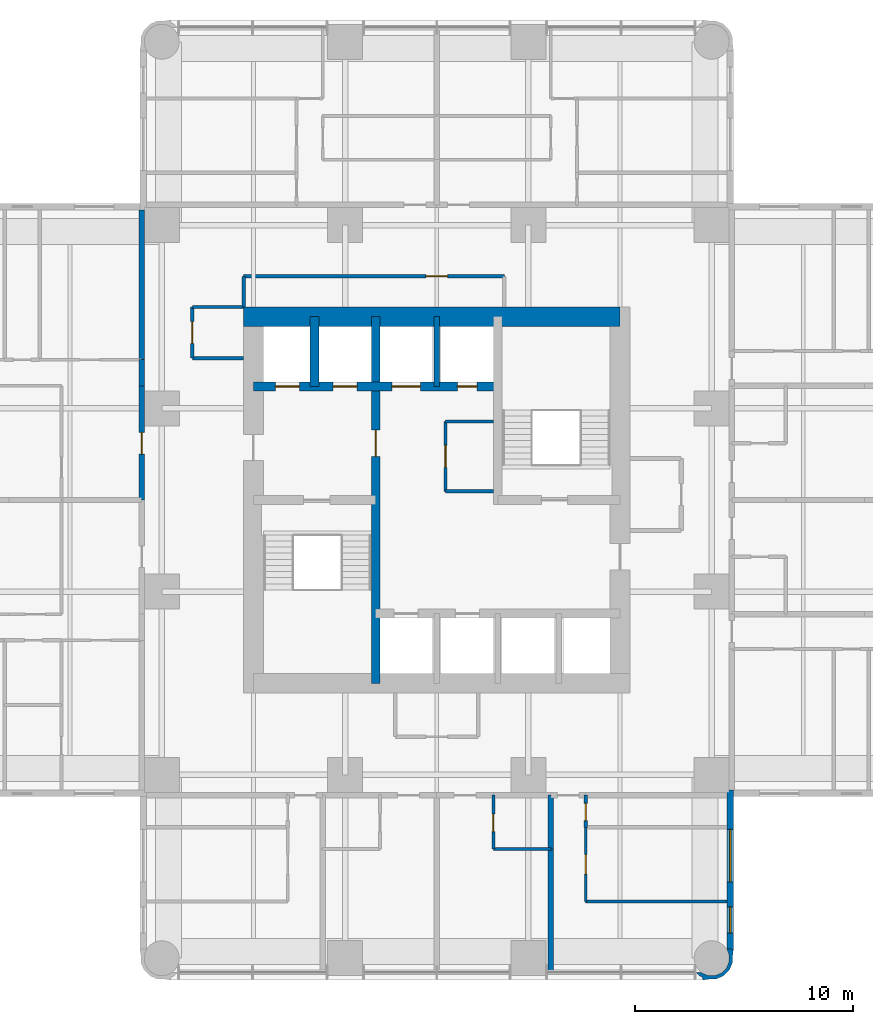
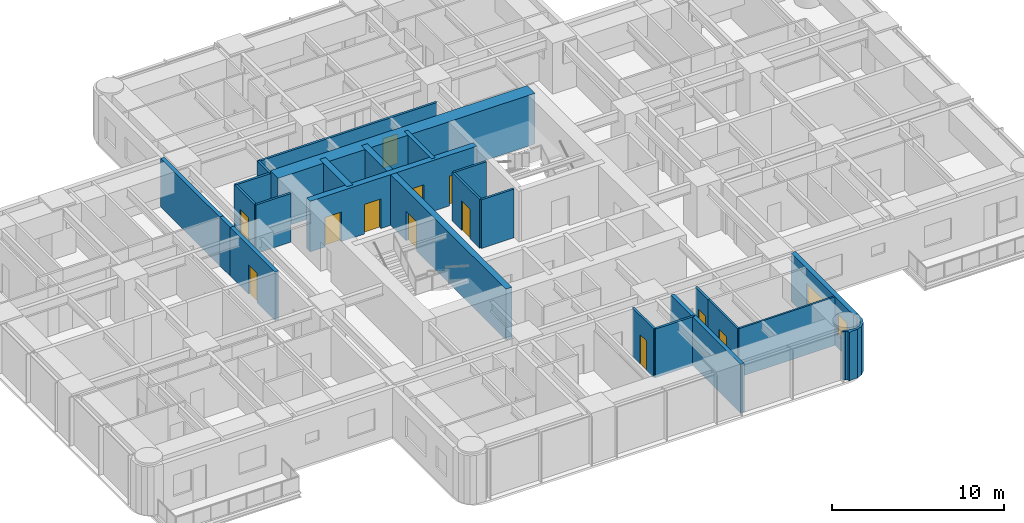
# One storey, part 8 of 14: 25 walls, 12 doors, 2 windows, 14 openings.
"""IFC4 building model written with IfcOpenShell, lengths in metres."""

from ifc_helpers import new_model, si_unit, direction, frame, frame_2d, origin, place, context, subcontext, project, spatial, polyline, rectangle, outline, extrude, material, layer, layer_set, type_object, element, fill, save


model = new_model("IFC4")

# Units and contexts
model_context = context("Model", 3, precision=1e-05, world=origin(), true_north=direction((0.0, 1.0)))
body_context = subcontext(model_context, "Body", "Model", "MODEL_VIEW")
ifc_project = project(units=[si_unit("LENGTHUNIT", "METRE"), si_unit("AREAUNIT", "SQUARE_METRE"), si_unit("VOLUMEUNIT", "CUBIC_METRE"), si_unit("PLANEANGLEUNIT", "RADIAN"), si_unit("MASSUNIT", "GRAM", prefix="KILO")], contexts=[model_context])

# Site, building, storey
site_placement = place(None, origin())
site = spatial("IfcSite", under=ifc_project, at=site_placement, CompositionType="ELEMENT")
building_placement = place(site_placement, origin())
building = spatial("IfcBuilding", under=site, at=building_placement, Name="Torre Alcanfor", CompositionType="ELEMENT")
storey_placement = place(building_placement, frame((0.0, 0.0, 159.300048828125)))
storey = spatial("IfcBuildingStorey", under=building, at=storey_placement, Name="L41", CompositionType="ELEMENT", Elevation=159.300048828125)

# Wall, opening, door
ifc_material_1 = material(Name="Concrete block masonry, hollow blocks NMX-C-404 9 MPa", Category="masonry")
ifc_layer_1 = layer(ifc_material_1, 0.25)
ifc_layer_set_1 = layer_set([ifc_layer_1], Name="Apartment entrance wall 250 EI 60")
wall_type_1 = type_object("IfcWallType", Name="Apartment entrance wall 250 EI 60", PredefinedType="PARTITIONING", material=ifc_layer_set_1)
wall_1_placement = place(storey_placement, frame((15.875, 29.39990234375, 0.0), z_axis=(0.0, 0.0, 1.0), x_axis=(0.0, 1.0, 0.0)))
wall_1 = element("IfcWall", 1, at=wall_1_placement, inside=storey, type_object=wall_type_1, Name="Partition L41-CORR / L41-W2-ZAG", PredefinedType="PARTITIONING", context=body_context, shape_type="SweptSolid", body=[
    extrude(rectangle(XDim=5.22900390625, YDim=0.25, at=frame_2d((2.614501953125, 0.0))), origin(), (0.0, 0.0, 1.0), 3.449951171875),
])
opening_1_placement = place(wall_1_placement, frame((2.10009765625, 0.0, 0.0)))
opening_1 = element("IfcOpeningElement", 2, at=opening_1_placement, cuts=wall_1, Name="Opening D-A1", PredefinedType="OPENING", context=body_context, shape_type="SweptSolid", body=[
    extrude(rectangle(XDim=1.0, YDim=2.10009765625, at=frame_2d((0.5, 1.050048828125))), frame((0.0, 0.135009765625, 0.0), z_axis=(0.0, -1.0, 0.0), x_axis=(1.0, 0.0, 0.0)), (0.0, 0.0, 1.0), 0.27001953125),
])
ifc_material_2 = material(Name="Galvanised steel sheet ASTM A653", Category="steel")
door_type_1 = type_object("IfcDoorType", Name="Apartment entrance door FD60 1000x2100", OperationType="SINGLE_SWING_LEFT", PredefinedType="DOOR", material=ifc_material_2)
door_1_placement = place(opening_1_placement, origin())
door_1 = element("IfcDoor", 3, at=door_1_placement, inside=storey, type_object=door_type_1, Name="Apartment entrance L41-W2", OperationType="SINGLE_SWING_LEFT", OverallHeight=2.10009765625, OverallWidth=1.0, PredefinedType="DOOR", context=body_context, shape_type="SweptSolid", body=[
    extrude(rectangle(XDim=1.0, YDim=2.10009765625, at=frame_2d((0.5, 1.050048828125))), frame((0.0, 0.02490234375, 0.0), z_axis=(0.0, -1.0, 0.0), x_axis=(1.0, 0.0, 0.0)), (0.0, 0.0, 1.0), 0.050048828125),
])
fill(opening_1, door_1)

# Walls
wall_2_placement = place(storey_placement, frame((15.875, 34.62890625, 0.0), z_axis=(0.0, 0.0, 1.0), x_axis=(0.0, 1.0, 0.0)))
element("IfcWall", 4, at=wall_2_placement, inside=storey, type_object=wall_type_1, Name="Partition L41-CORR / L41-W2-HALL", PredefinedType="PARTITIONING", context=body_context, shape_type="SweptSolid", body=[
    extrude(rectangle(XDim=1.2001953125, YDim=0.25, at=frame_2d((0.60009765625, 0.0))), origin(), (0.0, 0.0, 1.0), 3.449951171875),
])
wall_3_placement = place(storey_placement, frame((15.875, 35.8291015625, 0.0), z_axis=(0.0, 0.0, 1.0), x_axis=(0.0, 1.0, 0.0)))
element("IfcWall", 5, at=wall_3_placement, inside=storey, type_object=wall_type_1, Name="Partition L41-CORR / L41-W2-BED3", PredefinedType="PARTITIONING", context=body_context, shape_type="SweptSolid", body=[
    extrude(rectangle(XDim=6.870849609375, YDim=0.25, at=frame_2d((3.435546875, 0.0))), origin(), (0.0, 0.0, 1.0), 3.449951171875),
])

# Wall, opening, door
ifc_material_3 = material(Name="Gypsum board on steel studs", Category="steel")
ifc_layer_2 = layer(ifc_material_3, 0.1201171875)
ifc_layer_set_2 = layer_set([ifc_layer_2], Name="Apartment partition 120")
wall_type_2 = type_object("IfcWallType", Name="Apartment partition 120", PredefinedType="PARTITIONING", material=ifc_layer_set_2)
wall_4_placement = place(storey_placement, frame((36.22900390625, 14.39990234375, 0.0), z_axis=(0.0, 0.0, 1.0), x_axis=(0.0, -1.0, 0.0)))
wall_4 = element("IfcWall", 6, at=wall_4_placement, inside=storey, type_object=wall_type_2, Name="Partition L41-S1B-LIVING / L41-S1B-MASTER", PredefinedType="PARTITIONING", context=body_context, shape_type="SweptSolid", body=[
    extrude(rectangle(XDim=3.39990234375, YDim=0.1201171875, at=frame_2d((1.699951171875, 0.0))), origin(), (0.0, 0.0, 1.0), 3.449951171875),
])
opening_2_placement = place(wall_4_placement, frame((1.25, 0.0, 0.0)))
opening_2 = element("IfcOpeningElement", 7, at=opening_2_placement, cuts=wall_4, Name="Opening D-R1", PredefinedType="OPENING", context=body_context, shape_type="SweptSolid", body=[
    extrude(rectangle(XDim=0.89990234375, YDim=2.10009765625, at=frame_2d((0.449951171875, 1.050048828125))), frame((0.0, 0.070068359375, 0.0), z_axis=(0.0, -1.0, 0.0), x_axis=(1.0, 0.0, 0.0)), (0.0, 0.0, 1.0), 0.14013671875),
])
ifc_material_4 = material(Name="Timber", Category="wood")
door_type_2 = type_object("IfcDoorType", Name="Internal door 900x2100", OperationType="SINGLE_SWING_LEFT", PredefinedType="DOOR", material=ifc_material_4)
door_2_placement = place(opening_2_placement, origin())
door_2 = element("IfcDoor", 8, at=door_2_placement, inside=storey, type_object=door_type_2, Name="Door L41-S1B master", OperationType="SINGLE_SWING_LEFT", OverallHeight=2.10009765625, OverallWidth=0.89990234375, PredefinedType="DOOR", context=body_context, shape_type="SweptSolid", body=[
    extrude(rectangle(XDim=0.89990234375, YDim=2.10009765625, at=frame_2d((0.449951171875, 1.050048828125))), frame((0.0, 0.02490234375, 0.0), z_axis=(0.0, -1.0, 0.0), x_axis=(1.0, 0.0, 0.0)), (0.0, 0.0, 1.0), 0.050048828125),
])
fill(opening_2, door_2)

# Wall
wall_5_placement = place(storey_placement, frame((36.22900390625, 11.0, 0.0), z_axis=(0.0, 0.0, 1.0), x_axis=(1.0, 0.0, 0.0)))
element("IfcWall", 9, at=wall_5_placement, inside=storey, type_object=wall_type_2, Name="Partition L41-S1B-LIVING / L41-S1B-MASTER", PredefinedType="PARTITIONING", context=body_context, shape_type="SweptSolid", body=[
    extrude(rectangle(XDim=6.470947265625, YDim=0.1201171875, at=frame_2d((3.2353515625, 0.0))), origin(), (0.0, 0.0, 1.0), 3.449951171875),
])

# Wall, opening, door
ifc_material_5 = material(Name="Concrete f'c 70 MPa", Category="concrete")
ifc_layer_3 = layer(ifc_material_5, 0.39990234375)
ifc_layer_set_3 = layer_set([ifc_layer_3], Name="Core inner wall 400 f'c70")
wall_type_3 = type_object("IfcWallType", Name="Core inner wall 400 f'c70", PredefinedType="SHEAR", material=ifc_layer_set_3)
wall_6_placement = place(storey_placement, frame((26.60009765625, 21.0, 0.0), z_axis=(0.0, 0.0, 1.0), x_axis=(0.0, 1.0, 0.0)))
wall_6 = element("IfcWall", 10, at=wall_6_placement, inside=storey, type_object=wall_type_3, Name="Core wall X266 L41", PredefinedType="SHEAR", context=body_context, shape_type="SweptSolid", body=[
    extrude(rectangle(XDim=16.800048828125, YDim=0.39990234375, at=frame_2d((8.39990234375, 0.0))), origin(), (0.0, 0.0, 1.0), 3.599853515625),
])
opening_3_placement = place(wall_6_placement, frame((10.39990234375, 0.0, 0.0)))
opening_3 = element("IfcOpeningElement", 11, at=opening_3_placement, cuts=wall_6, Name="Opening D-L1", PredefinedType="OPENING", context=body_context, shape_type="SweptSolid", body=[
    extrude(rectangle(XDim=1.199951171875, YDim=2.10009765625, at=frame_2d((0.60009765625, 1.050048828125))), frame((0.0, 0.2099609375, 0.0), z_axis=(0.0, -1.0, 0.0), x_axis=(1.0, 0.0, 0.0)), (0.0, 0.0, 1.0), 0.419921875),
])
ifc_material_6 = material(Name="Galvanised steel sheet ASTM A653", Category="steel")
door_type_3 = type_object("IfcDoorType", Name="Lobby door FD120 1200x2100", OperationType="SINGLE_SWING_LEFT", PredefinedType="DOOR", material=ifc_material_6)
door_3_placement = place(opening_3_placement, origin())
door_3 = element("IfcDoor", 12, at=door_3_placement, inside=storey, type_object=door_type_3, Name="Lift lobby door L41", OperationType="SINGLE_SWING_LEFT", OverallHeight=2.10009765625, OverallWidth=1.199951171875, PredefinedType="DOOR", context=body_context, shape_type="SweptSolid", body=[
    extrude(rectangle(XDim=1.199951171875, YDim=2.10009765625, at=frame_2d((0.60009765625, 1.050048828125))), frame((0.0, 0.02490234375, 0.0), z_axis=(0.0, -1.0, 0.0), x_axis=(1.0, 0.0, 0.0)), (0.0, 0.0, 1.0), 0.050048828125),
])
fill(opening_3, door_3)

# Wall, openings, doors
wall_7_placement = place(storey_placement, frame((21.0, 34.60009765625, 0.0), z_axis=(0.0, 0.0, 1.0), x_axis=(1.0, 0.0, 0.0)))
wall_7 = element("IfcWall", 13, at=wall_7_placement, inside=storey, type_object=wall_type_3, Name="Core wall Y346 L41", PredefinedType="SHEAR", context=body_context, shape_type="SweptSolid", body=[
    extrude(rectangle(XDim=11.199951171875, YDim=0.39990234375, at=frame_2d((5.60009765625, 0.0))), origin(), (0.0, 0.0, 1.0), 3.599853515625),
])
opening_4_placement = place(wall_7_placement, frame((9.35009765625, 0.0, 0.0)))
opening_4 = element("IfcOpeningElement", 14, at=opening_4_placement, cuts=wall_7, Name="Opening D-Q1", PredefinedType="OPENING", context=body_context, shape_type="SweptSolid", body=[
    extrude(rectangle(XDim=0.89990234375, YDim=2.10009765625, at=frame_2d((0.449951171875, 1.050048828125))), frame((0.0, 0.2099609375, 0.0), z_axis=(0.0, -1.0, 0.0), x_axis=(1.0, 0.0, 0.0)), (0.0, 0.0, 1.0), 0.419921875),
])
opening_5_placement = place(wall_7_placement, frame((1.0, 0.0, 0.0)))
opening_5 = element("IfcOpeningElement", 15, at=opening_5_placement, cuts=wall_7, Name="Opening LD2", PredefinedType="OPENING", context=body_context, shape_type="SweptSolid", body=[
    extrude(rectangle(XDim=1.10009765625, YDim=2.10009765625, at=frame_2d((0.550048828125, 1.050048828125))), frame((0.0, 0.2099609375, 0.0), z_axis=(0.0, -1.0, 0.0), x_axis=(1.0, 0.0, 0.0)), (0.0, 0.0, 1.0), 0.419921875),
])
opening_6_placement = place(wall_7_placement, frame((3.64990234375, 0.0, 0.0)))
opening_6 = element("IfcOpeningElement", 16, at=opening_6_placement, cuts=wall_7, Name="Opening LD2", PredefinedType="OPENING", context=body_context, shape_type="SweptSolid", body=[
    extrude(rectangle(XDim=1.10009765625, YDim=2.10009765625, at=frame_2d((0.550048828125, 1.050048828125))), frame((0.0, 0.2099609375, 0.0), z_axis=(0.0, -1.0, 0.0), x_axis=(1.0, 0.0, 0.0)), (0.0, 0.0, 1.0), 0.419921875),
])
opening_7_placement = place(wall_7_placement, frame((6.35009765625, 0.0, 0.0)))
opening_7 = element("IfcOpeningElement", 17, at=opening_7_placement, cuts=wall_7, Name="Opening LD3", PredefinedType="OPENING", context=body_context, shape_type="SweptSolid", body=[
    extrude(rectangle(XDim=1.300048828125, YDim=2.10009765625, at=frame_2d((0.64990234375, 1.050048828125))), frame((0.0, 0.2099609375, 0.0), z_axis=(0.0, -1.0, 0.0), x_axis=(1.0, 0.0, 0.0)), (0.0, 0.0, 1.0), 0.419921875),
])
ifc_material_7 = material(Name="Galvanised steel sheet ASTM A653", Category="steel")
door_type_4 = type_object("IfcDoorType", Name="Firefighting lift landing door 1100x2100", OperationType="DOUBLE_DOOR_SLIDING", PredefinedType="DOOR", material=ifc_material_7)
door_4_placement = place(opening_5_placement, origin())
door_4 = element("IfcDoor", 18, at=door_4_placement, inside=storey, type_object=door_type_4, Name="Lift landing door FL1 L41", OperationType="DOUBLE_DOOR_SLIDING", OverallHeight=2.10009765625, OverallWidth=1.10009765625, PredefinedType="DOOR", context=body_context, shape_type="SweptSolid", body=[
    extrude(rectangle(XDim=1.10009765625, YDim=2.10009765625, at=frame_2d((0.550048828125, 1.050048828125))), frame((0.0, 0.02490234375, 0.0), z_axis=(0.0, -1.0, 0.0), x_axis=(1.0, 0.0, 0.0)), (0.0, 0.0, 1.0), 0.050048828125),
])
fill(opening_5, door_4)
door_5_placement = place(opening_6_placement, origin())
door_5 = element("IfcDoor", 19, at=door_5_placement, inside=storey, type_object=door_type_4, Name="Lift landing door FL2 L41", OperationType="DOUBLE_DOOR_SLIDING", OverallHeight=2.10009765625, OverallWidth=1.10009765625, PredefinedType="DOOR", context=body_context, shape_type="SweptSolid", body=[
    extrude(rectangle(XDim=1.10009765625, YDim=2.10009765625, at=frame_2d((0.550048828125, 1.050048828125))), frame((0.0, 0.02490234375, 0.0), z_axis=(0.0, -1.0, 0.0), x_axis=(1.0, 0.0, 0.0)), (0.0, 0.0, 1.0), 0.050048828125),
])
fill(opening_6, door_5)
ifc_material_8 = material(Name="Galvanised steel sheet ASTM A653", Category="steel")
door_type_5 = type_object("IfcDoorType", Name="Riser access door FD120 900x2100", OperationType="SINGLE_SWING_LEFT", PredefinedType="DOOR", material=ifc_material_8)
door_6_placement = place(opening_4_placement, origin())
door_6 = element("IfcDoor", 20, at=door_6_placement, inside=storey, type_object=door_type_5, Name="Riser door L41", OperationType="SINGLE_SWING_LEFT", OverallHeight=2.10009765625, OverallWidth=0.89990234375, PredefinedType="DOOR", context=body_context, shape_type="SweptSolid", body=[
    extrude(rectangle(XDim=0.89990234375, YDim=2.10009765625, at=frame_2d((0.449951171875, 1.050048828125))), frame((0.0, 0.02490234375, 0.0), z_axis=(0.0, -1.0, 0.0), x_axis=(1.0, 0.0, 0.0)), (0.0, 0.0, 1.0), 0.050048828125),
])
fill(opening_4, door_6)
ifc_material_9 = material(Name="Galvanised steel sheet ASTM A653", Category="steel")
door_type_6 = type_object("IfcDoorType", Name="Service lift landing door 1300x2100", OperationType="DOUBLE_DOOR_SLIDING", PredefinedType="DOOR", material=ifc_material_9)
door_7_placement = place(opening_7_placement, origin())
door_7 = element("IfcDoor", 21, at=door_7_placement, inside=storey, type_object=door_type_6, Name="Lift landing door SL1 L41", OperationType="DOUBLE_DOOR_SLIDING", OverallHeight=2.10009765625, OverallWidth=1.300048828125, PredefinedType="DOOR", context=body_context, shape_type="SweptSolid", body=[
    extrude(rectangle(XDim=1.300048828125, YDim=2.10009765625, at=frame_2d((0.64990234375, 1.050048828125))), frame((0.0, 0.02490234375, 0.0), z_axis=(0.0, -1.0, 0.0), x_axis=(1.0, 0.0, 0.0)), (0.0, 0.0, 1.0), 0.050048828125),
])
fill(opening_7, door_7)

# Walls
wall_8_placement = place(storey_placement, frame((23.800048828125, 34.60009765625, 0.0), z_axis=(0.0, 0.0, 1.0), x_axis=(0.0, 1.0, 0.0)))
element("IfcWall", 22, at=wall_8_placement, inside=storey, type_object=wall_type_3, Name="Core wall X238 L41", PredefinedType="SHEAR", context=body_context, shape_type="SweptSolid", body=[
    extrude(rectangle(XDim=3.199951171875, YDim=0.39990234375, at=frame_2d((1.60009765625, 0.0))), origin(), (0.0, 0.0, 1.0), 3.599853515625),
])
ifc_material_10 = material(Name="Concrete f'c 70 MPa", Category="concrete")
ifc_layer_4 = layer(ifc_material_10, 0.25)
ifc_layer_set_4 = layer_set([ifc_layer_4], Name="Core shaft wall 250 f'c70")
wall_type_4 = type_object("IfcWallType", Name="Core shaft wall 250 f'c70", PredefinedType="SHEAR", material=ifc_layer_set_4)
wall_9_placement = place(storey_placement, frame((29.39990234375, 34.60009765625, 0.0), z_axis=(0.0, 0.0, 1.0), x_axis=(0.0, 1.0, 0.0)))
element("IfcWall", 23, at=wall_9_placement, inside=storey, type_object=wall_type_4, Name="Core wall X294N L41", PredefinedType="SHEAR", context=body_context, shape_type="SweptSolid", body=[
    extrude(rectangle(XDim=3.199951171875, YDim=0.25, at=frame_2d((1.60009765625, 0.0))), origin(), (0.0, 0.0, 1.0), 3.599853515625),
])
ifc_material_11 = material(Name="Concrete f'c 70 MPa", Category="concrete")
ifc_layer_5 = layer(ifc_material_11, 0.89990234375)
ifc_layer_set_5 = layer_set([ifc_layer_5], Name="Core wall 900 f'c70")
wall_type_5 = type_object("IfcWallType", Name="Core wall 900 f'c70", PredefinedType="SHEAR", material=ifc_layer_set_5)
wall_10_placement = place(storey_placement, frame((37.800048828125, 37.800048828125, 0.0), z_axis=(0.0, 0.0, 1.0), x_axis=(-1.0, 0.0, 0.0)))
element("IfcWall", 24, at=wall_10_placement, inside=storey, type_object=wall_type_5, Name="Core wall OUT-N L41", PredefinedType="SHEAR", context=body_context, shape_type="SweptSolid", body=[
    extrude(rectangle(XDim=17.25, YDim=0.89990234375, at=frame_2d((8.625, 0.0))), origin(), (0.0, 0.0, 1.0), 3.599853515625),
])

# Wall, openings, windows
ifc_material_12 = material(Name="Limestone cladding", Category="masonry")
ifc_layer_6 = layer(ifc_material_12, 0.0400390625, Name="Facing")
ifc_material_13 = material(Name="Ventilated air cavity")
ifc_layer_7 = layer(ifc_material_13, 0.02001953125, ventilated=True, Name="Ventilated joint")
ifc_material_14 = material(Name="Mineral wool insulation", Category="insulation")
ifc_layer_8 = layer(ifc_material_14, 0.10009765625, Name="Insulation")
ifc_material_15 = material(Name="Concrete f'c 35 MPa", Category="concrete")
ifc_layer_9 = layer(ifc_material_15, 0.139892578125, Name="Backing")
ifc_layer_set_6 = layer_set([ifc_layer_6, ifc_layer_7, ifc_layer_8, ifc_layer_9], Name="External wall stone-clad 300")
wall_type_6 = type_object("IfcWallType", Name="External wall stone-clad 300", PredefinedType="SOLIDWALL", material=ifc_layer_set_6)
wall_11_placement = place(storey_placement, frame((42.85009765625, 8.800048828125, 0.0), z_axis=(0.0, 0.0, 1.0), x_axis=(0.0, 1.0, 0.0)))
wall_11 = element("IfcWall", 25, at=wall_11_placement, inside=storey, type_object=wall_type_6, Name="External wall L41 6", PredefinedType="SOLIDWALL", context=body_context, shape_type="SweptSolid", body=[
    extrude(rectangle(XDim=7.300048828125, YDim=0.300048828125, at=frame_2d((3.64990234375, 0.0))), origin(), (0.0, 0.0, 1.0), 3.449951171875),
])
opening_8_placement = place(wall_11_placement, frame((3.10009765625, 0.0, 0.89990234375)))
opening_8 = element("IfcOpeningElement", 26, at=opening_8_placement, cuts=wall_11, Name="Opening W1", PredefinedType="OPENING", context=body_context, shape_type="SweptSolid", body=[
    extrude(rectangle(XDim=2.39990234375, YDim=1.5, at=frame_2d((1.199951171875, 0.75))), frame((0.0, 0.159912109375, 0.0), z_axis=(0.0, -1.0, 0.0), x_axis=(1.0, 0.0, 0.0)), (0.0, 0.0, 1.0), 0.320068359375),
])
opening_9_placement = place(wall_11_placement, frame((0.75, 0.0, 0.89990234375)))
opening_9 = element("IfcOpeningElement", 27, at=opening_9_placement, cuts=wall_11, Name="Opening W4", PredefinedType="OPENING", context=body_context, shape_type="SweptSolid", body=[
    extrude(rectangle(XDim=1.199951171875, YDim=1.5, at=frame_2d((0.60009765625, 0.75))), frame((0.0, 0.159912109375, 0.0), z_axis=(0.0, -1.0, 0.0), x_axis=(1.0, 0.0, 0.0)), (0.0, 0.0, 1.0), 0.320068359375),
])
ifc_material_16 = material(Name="Aluminium frame with clear double glazing", Category="aluminium")
window_type_1 = type_object("IfcWindowType", Name="Window bedroom 1200x1500", PartitioningType="SINGLE_PANEL", PredefinedType="WINDOW", material=ifc_material_16)
window_1_placement = place(opening_9_placement, origin())
window_1 = element("IfcWindow", 28, at=window_1_placement, inside=storey, type_object=window_type_1, Name="Window W4 L41-S1", OverallHeight=1.5, OverallWidth=1.199951171875, PartitioningType="SINGLE_PANEL", PredefinedType="WINDOW", context=body_context, shape_type="SweptSolid", body=[
    extrude(rectangle(XDim=1.199951171875, YDim=1.5, at=frame_2d((0.60009765625, 0.75))), frame((0.0, 0.030029296875, 0.0), z_axis=(0.0, -1.0, 0.0), x_axis=(1.0, 0.0, 0.0)), (0.0, 0.0, 1.0), 0.06005859375),
])
fill(opening_9, window_1)
ifc_material_17 = material(Name="Aluminium frame with clear double glazing", Category="aluminium")
window_type_2 = type_object("IfcWindowType", Name="Window bedroom 2400x1500", PartitioningType="SINGLE_PANEL", PredefinedType="WINDOW", material=ifc_material_17)
window_2_placement = place(opening_8_placement, origin())
window_2 = element("IfcWindow", 29, at=window_2_placement, inside=storey, type_object=window_type_2, Name="Window W1 L41-S1", OverallHeight=1.5, OverallWidth=2.39990234375, PartitioningType="SINGLE_PANEL", PredefinedType="WINDOW", context=body_context, shape_type="SweptSolid", body=[
    extrude(rectangle(XDim=2.39990234375, YDim=1.5, at=frame_2d((1.199951171875, 0.75))), frame((0.0, 0.030029296875, 0.0), z_axis=(0.0, -1.0, 0.0), x_axis=(1.0, 0.0, 0.0)), (0.0, 0.0, 1.0), 0.06005859375),
])
fill(opening_8, window_2)

# Walls
ifc_material_18 = material(Name="Concrete block masonry, hollow blocks NMX-C-404 9 MPa", Category="masonry")
ifc_layer_10 = layer(ifc_material_18, 0.25)
ifc_layer_set_7 = layer_set([ifc_layer_10], Name="Party wall 250 EI 60")
wall_type_7 = type_object("IfcWallType", Name="Party wall 250 EI 60", PredefinedType="PARTITIONING", material=ifc_layer_set_7)
wall_12_placement = place(storey_placement, frame((34.62890625, 13.39990234375, 0.0), z_axis=(0.0, 0.0, 1.0), x_axis=(0.0, -1.0, 0.0)))
element("IfcWall", 30, at=wall_12_placement, inside=storey, type_object=wall_type_7, Name="Partition L41-S1A-STUDIO / L41-S1B-LIVING", PredefinedType="PARTITIONING", context=body_context, shape_type="SweptSolid", body=[
    extrude(rectangle(XDim=5.64990234375, YDim=0.25, at=frame_2d((2.824951171875, 0.0))), origin(), (0.0, 0.0, 1.0), 3.449951171875),
])
wall_13_placement = place(storey_placement, frame((34.62890625, 13.39990234375, 0.0), z_axis=(0.0, 0.0, 1.0), x_axis=(0.0, 1.0, 0.0)))
element("IfcWall", 31, at=wall_13_placement, inside=storey, type_object=wall_type_7, Name="Partition L41-S1A-BATH / L41-S1B-LIVING", PredefinedType="PARTITIONING", context=body_context, shape_type="SweptSolid", body=[
    extrude(rectangle(XDim=2.47509765625, YDim=0.25, at=frame_2d((1.237548828125, 0.0))), origin(), (0.0, 0.0, 1.0), 3.449951171875),
])

# Wall, opening, door
ifc_material_19 = material(Name="Concrete block masonry, hollow blocks NMX-C-404 9 MPa", Category="masonry")
ifc_layer_11 = layer(ifc_material_19, 0.14990234375)
ifc_layer_set_8 = layer_set([ifc_layer_11], Name="Residents' room partition 150")
wall_type_8 = type_object("IfcWallType", Name="Residents' room partition 150", PredefinedType="PARTITIONING", material=ifc_layer_set_8)
wall_14_placement = place(storey_placement, frame((32.5, 39.64990234375, 0.0), z_axis=(0.0, 0.0, 1.0), x_axis=(-1.0, 0.0, 0.0)))
wall_14 = element("IfcWall", 32, at=wall_14_placement, inside=storey, type_object=wall_type_8, Name="Partition L41-CORR / L41-G01", PredefinedType="PARTITIONING", context=body_context, shape_type="SweptSolid", body=[
    extrude(rectangle(XDim=11.949951171875, YDim=0.14990234375, at=frame_2d((5.97509765625, 0.0))), origin(), (0.0, 0.0, 1.0), 3.449951171875),
])
opening_10_placement = place(wall_14_placement, frame((2.60009765625, 0.0, 0.0)))
opening_10 = element("IfcOpeningElement", 33, at=opening_10_placement, cuts=wall_14, Name="Opening D-M1", PredefinedType="OPENING", context=body_context, shape_type="SweptSolid", body=[
    extrude(rectangle(XDim=1.0, YDim=2.10009765625, at=frame_2d((0.5, 1.050048828125))), frame((0.0, 0.0849609375, 0.0), z_axis=(0.0, -1.0, 0.0), x_axis=(1.0, 0.0, 0.0)), (0.0, 0.0, 1.0), 0.169921875),
])
ifc_material_20 = material(Name="Timber", Category="wood")
door_type_7 = type_object("IfcDoorType", Name="Residents' room door 1000x2100", OperationType="SINGLE_SWING_LEFT", PredefinedType="DOOR", material=ifc_material_20)
door_8_placement = place(opening_10_placement, origin())
door_8 = element("IfcDoor", 34, at=door_8_placement, inside=storey, type_object=door_type_7, Name="Door L41-G01 children's play room", OperationType="SINGLE_SWING_LEFT", OverallHeight=2.10009765625, OverallWidth=1.0, PredefinedType="DOOR", context=body_context, shape_type="SweptSolid", body=[
    extrude(rectangle(XDim=1.0, YDim=2.10009765625, at=frame_2d((0.5, 1.050048828125))), frame((0.0, 0.02490234375, 0.0), z_axis=(0.0, -1.0, 0.0), x_axis=(1.0, 0.0, 0.0)), (0.0, 0.0, 1.0), 0.050048828125),
])
fill(opening_10, door_8)

# Walls
wall_15_placement = place(storey_placement, frame((20.550048828125, 39.64990234375, 0.0), z_axis=(0.0, 0.0, 1.0), x_axis=(0.0, -1.0, 0.0)))
element("IfcWall", 35, at=wall_15_placement, inside=storey, type_object=wall_type_8, Name="Partition L41-CORR / L41-G01", PredefinedType="PARTITIONING", context=body_context, shape_type="SweptSolid", body=[
    extrude(rectangle(XDim=1.39990234375, YDim=0.14990234375, at=frame_2d((0.699951171875, 0.0))), origin(), (0.0, 0.0, 1.0), 3.449951171875),
])
wall_16_placement = place(storey_placement, frame((20.550048828125, 38.25, 0.0), z_axis=(0.0, 0.0, 1.0), x_axis=(-1.0, 0.0, 0.0)))
element("IfcWall", 36, at=wall_16_placement, inside=storey, type_object=wall_type_8, Name="Partition L41-CORR / L41-G04", PredefinedType="PARTITIONING", context=body_context, shape_type="SweptSolid", body=[
    extrude(rectangle(XDim=2.35009765625, YDim=0.14990234375, at=frame_2d((1.175048828125, 0.0))), origin(), (0.0, 0.0, 1.0), 3.449951171875),
])

# Wall, opening, door
wall_17_placement = place(storey_placement, frame((18.199951171875, 38.25, 0.0), z_axis=(0.0, 0.0, 1.0), x_axis=(0.0, -1.0, 0.0)))
wall_17 = element("IfcWall", 37, at=wall_17_placement, inside=storey, type_object=wall_type_8, Name="Partition L41-CORR / L41-G04", PredefinedType="PARTITIONING", context=body_context, shape_type="SweptSolid", body=[
    extrude(rectangle(XDim=2.35009765625, YDim=0.14990234375, at=frame_2d((1.175048828125, 0.0))), origin(), (0.0, 0.0, 1.0), 3.449951171875),
])
opening_11_placement = place(wall_17_placement, frame((0.675048828125, 0.0, 0.0)))
opening_11 = element("IfcOpeningElement", 38, at=opening_11_placement, cuts=wall_17, Name="Opening D-M1", PredefinedType="OPENING", context=body_context, shape_type="SweptSolid", body=[
    extrude(rectangle(XDim=1.0, YDim=2.10009765625, at=frame_2d((0.5, 1.050048828125))), frame((0.0, 0.0849609375, 0.0), z_axis=(0.0, -1.0, 0.0), x_axis=(1.0, 0.0, 0.0)), (0.0, 0.0, 1.0), 0.169921875),
])
door_9_placement = place(opening_11_placement, origin())
door_9 = element("IfcDoor", 39, at=door_9_placement, inside=storey, type_object=door_type_7, Name="Door L41-G04 parcel room", OperationType="SINGLE_SWING_LEFT", OverallHeight=2.10009765625, OverallWidth=1.0, PredefinedType="DOOR", context=body_context, shape_type="SweptSolid", body=[
    extrude(rectangle(XDim=1.0, YDim=2.10009765625, at=frame_2d((0.5, 1.050048828125))), frame((0.0, 0.02490234375, 0.0), z_axis=(0.0, -1.0, 0.0), x_axis=(1.0, 0.0, 0.0)), (0.0, 0.0, 1.0), 0.050048828125),
])
fill(opening_11, door_9)

# Walls
wall_18_placement = place(storey_placement, frame((18.199951171875, 35.89990234375, 0.0), z_axis=(0.0, 0.0, 1.0), x_axis=(1.0, 0.0, 0.0)))
element("IfcWall", 40, at=wall_18_placement, inside=storey, type_object=wall_type_8, Name="Partition L41-CORR / L41-G04", PredefinedType="PARTITIONING", context=body_context, shape_type="SweptSolid", body=[
    extrude(rectangle(XDim=2.35009765625, YDim=0.14990234375, at=frame_2d((1.175048828125, 0.0))), origin(), (0.0, 0.0, 1.0), 3.449951171875),
])
wall_19_placement = place(storey_placement, frame((32.0, 29.800048828125, 0.0), z_axis=(0.0, 0.0, 1.0), x_axis=(-1.0, 0.0, 0.0)))
element("IfcWall", 41, at=wall_19_placement, inside=storey, type_object=wall_type_8, Name="Partition L41-LL / L41-CR1", PredefinedType="PARTITIONING", context=body_context, shape_type="SweptSolid", body=[
    extrude(rectangle(XDim=2.199951171875, YDim=0.14990234375, at=frame_2d((1.10009765625, 0.0))), origin(), (0.0, 0.0, 1.0), 3.449951171875),
])

# Wall, opening, door
wall_20_placement = place(storey_placement, frame((29.800048828125, 29.800048828125, 0.0), z_axis=(0.0, 0.0, 1.0), x_axis=(0.0, 1.0, 0.0)))
wall_20 = element("IfcWall", 42, at=wall_20_placement, inside=storey, type_object=wall_type_8, Name="Partition L41-LL / L41-CR1", PredefinedType="PARTITIONING", context=body_context, shape_type="SweptSolid", body=[
    extrude(rectangle(XDim=3.199951171875, YDim=0.14990234375, at=frame_2d((1.60009765625, 0.0))), origin(), (0.0, 0.0, 1.0), 3.449951171875),
])
opening_12_placement = place(wall_20_placement, frame((1.10009765625, 0.0, 0.0)))
opening_12 = element("IfcOpeningElement", 43, at=opening_12_placement, cuts=wall_20, Name="Opening D-M1", PredefinedType="OPENING", context=body_context, shape_type="SweptSolid", body=[
    extrude(rectangle(XDim=1.0, YDim=2.10009765625, at=frame_2d((0.5, 1.050048828125))), frame((0.0, 0.0849609375, 0.0), z_axis=(0.0, -1.0, 0.0), x_axis=(1.0, 0.0, 0.0)), (0.0, 0.0, 1.0), 0.169921875),
])
door_10_placement = place(opening_12_placement, frame((1.0, 0.0, 0.0), z_axis=(0.0, 0.0, 1.0), x_axis=(-1.0, 0.0, 0.0)))
door_10 = element("IfcDoor", 44, at=door_10_placement, inside=storey, type_object=door_type_7, Name="Residents' parcel room door L41", OperationType="SINGLE_SWING_RIGHT", OverallHeight=2.10009765625, OverallWidth=1.0, PredefinedType="DOOR", context=body_context, shape_type="SweptSolid", body=[
    extrude(rectangle(XDim=1.0, YDim=2.10009765625, at=frame_2d((0.5, 1.050048828125))), frame((0.0, 0.025146484375, 0.0), z_axis=(0.0, -1.0, 0.0), x_axis=(1.0, 0.0, 0.0)), (0.0, 0.0, 1.0), 0.050048828125),
])
fill(opening_12, door_10)

# Walls
wall_21_placement = place(storey_placement, frame((29.800048828125, 33.0, 0.0), z_axis=(0.0, 0.0, 1.0), x_axis=(1.0, 0.0, 0.0)))
element("IfcWall", 45, at=wall_21_placement, inside=storey, type_object=wall_type_8, Name="Partition L41-LL / L41-CR1", PredefinedType="PARTITIONING", context=body_context, shape_type="SweptSolid", body=[
    extrude(rectangle(XDim=2.199951171875, YDim=0.14990234375, at=frame_2d((1.10009765625, 0.0))), origin(), (0.0, 0.0, 1.0), 3.449951171875),
])
ifc_layer_12 = layer(ifc_material_12, 0.0400390625, Name="Facing")
ifc_layer_13 = layer(ifc_material_13, 0.02001953125, ventilated=True, Name="Ventilated joint")
ifc_layer_14 = layer(ifc_material_14, 0.10009765625, Name="Insulation")
ifc_layer_15 = layer(ifc_material_15, 0.139892578125, Name="Backing")
ifc_layer_set_9 = layer_set([ifc_layer_12, ifc_layer_13, ifc_layer_14, ifc_layer_15], Name="Rounded corner pier stone-clad 300")
wall_type_9 = type_object("IfcWallType", Name="Rounded corner pier stone-clad 300", PredefinedType="SOLIDWALL", material=ifc_layer_set_9)
wall_22_placement = place(storey_placement, frame((41.351928198, 7.804682488, 0.0), z_axis=(0.0, 0.0, 1.0), x_axis=(0.343276641956, -0.93923434088, 0.0)))
element("IfcWall", 46, at=wall_22_placement, inside=storey, type_object=wall_type_9, Name="Corner pier L41 16", PredefinedType="SOLIDWALL", context=body_context, shape_type="SweptSolid", body=[
    extrude(outline(polyline([(-0.3691376945080963, 1.8896116474277462), (-0.5092849006082865, 1.6213723434863179), (-0.4904818693699753, 1.614500106025285), (-0.47937395557818696, 1.6086207727425919), (-0.21134604487110653, 1.620093396259431), (0.08789731812884549, 1.5107242513003132), (0.3226193813038204, 1.29522875171589), (0.4568297522668325, 1.0059961170728082), (0.47018090116819644, 0.6876338955306306), (0.3608955639829935, 0.3886198377896824), (0.14540006439857034, 0.15389777461470747), (0.10805580570731482, 0.136354268630141), (0.030952653705484567, -0.07460656965335008), (0.24105149879401783, 0.023022242841209073), (0.33345144333490195, 0.12363819812835387), (0.46537419024986754, 0.09413770889727405), (0.5320249985235461, 0.39313792602006), (0.6305829406476248, 0.6628009106085226), (0.6143313238115743, 1.0443478664441104), (0.4534111053034037, 1.390650880852334), (0.17226586261802523, 1.6491069643028293), (-0.09739712197043726, 1.7476649064269079), (-0.3691376945080963, 1.8896116474277462)])), origin(), (0.0, 0.0, 1.0), 3.449951171875),
])

# Wall, opening, door
ifc_material_21 = material(Name="Cement board on steel studs", Category="steel")
ifc_layer_16 = layer(ifc_material_21, 0.14990234375)
ifc_layer_set_10 = layer_set([ifc_layer_16], Name="Wet area partition 150")
wall_type_10 = type_object("IfcWallType", Name="Wet area partition 150", PredefinedType="PARTITIONING", material=ifc_layer_set_10)
wall_23_placement = place(storey_placement, frame((32.0, 15.875, 0.0), z_axis=(0.0, 0.0, 1.0), x_axis=(0.0, -1.0, 0.0)))
wall_23 = element("IfcWall", 47, at=wall_23_placement, inside=storey, type_object=wall_type_10, Name="Partition L41-S1A-STUDIO / L41-S1A-BATH", PredefinedType="PARTITIONING", context=body_context, shape_type="SweptSolid", body=[
    extrude(rectangle(XDim=2.47509765625, YDim=0.14990234375, at=frame_2d((1.237548828125, 0.0))), origin(), (0.0, 0.0, 1.0), 3.449951171875),
])
opening_13_placement = place(wall_23_placement, frame((0.875, 0.0, 0.0)))
opening_13 = element("IfcOpeningElement", 48, at=opening_13_placement, cuts=wall_23, Name="Opening D-R2", PredefinedType="OPENING", context=body_context, shape_type="SweptSolid", body=[
    extrude(rectangle(XDim=0.800048828125, YDim=2.10009765625, at=frame_2d((0.39990234375, 1.050048828125))), frame((0.0, 0.0849609375, 0.0), z_axis=(0.0, -1.0, 0.0), x_axis=(1.0, 0.0, 0.0)), (0.0, 0.0, 1.0), 0.169921875),
])
ifc_material_22 = material(Name="Timber", Category="wood")
door_type_8 = type_object("IfcDoorType", Name="Bathroom door 800x2100", OperationType="SINGLE_SWING_LEFT", PredefinedType="DOOR", material=ifc_material_22)
door_11_placement = place(opening_13_placement, origin())
door_11 = element("IfcDoor", 49, at=door_11_placement, inside=storey, type_object=door_type_8, Name="Door L41-S1A bath", OperationType="SINGLE_SWING_RIGHT", OverallHeight=2.10009765625, OverallWidth=0.800048828125, PredefinedType="DOOR", context=body_context, shape_type="SweptSolid", body=[
    extrude(rectangle(XDim=0.800048828125, YDim=2.10009765625, at=frame_2d((0.39990234375, 1.050048828125))), frame((0.0, 0.02490234375, 0.0), z_axis=(0.0, -1.0, 0.0), x_axis=(1.0, 0.0, 0.0)), (0.0, 0.0, 1.0), 0.050048828125),
])
fill(opening_13, door_11)

# Wall
wall_24_placement = place(storey_placement, frame((32.0, 13.39990234375, 0.0), z_axis=(0.0, 0.0, 1.0), x_axis=(1.0, 0.0, 0.0)))
element("IfcWall", 50, at=wall_24_placement, inside=storey, type_object=wall_type_10, Name="Partition L41-S1A-STUDIO / L41-S1A-BATH", PredefinedType="PARTITIONING", context=body_context, shape_type="SweptSolid", body=[
    extrude(rectangle(XDim=2.62890625, YDim=0.14990234375, at=frame_2d((1.314453125, 0.0))), origin(), (0.0, 0.0, 1.0), 3.449951171875),
])

# Wall, opening, door
wall_25_placement = place(storey_placement, frame((36.22900390625, 15.875, 0.0), z_axis=(0.0, 0.0, 1.0), x_axis=(0.0, -1.0, 0.0)))
wall_25 = element("IfcWall", 51, at=wall_25_placement, inside=storey, type_object=wall_type_10, Name="Partition L41-S1B-LIVING / L41-S1B-BATH", PredefinedType="PARTITIONING", context=body_context, shape_type="SweptSolid", body=[
    extrude(rectangle(XDim=1.47509765625, YDim=0.14990234375, at=frame_2d((0.737548828125, 0.0))), origin(), (0.0, 0.0, 1.0), 3.449951171875),
])
opening_14_placement = place(wall_25_placement, frame((0.375, 0.0, 0.0)))
opening_14 = element("IfcOpeningElement", 52, at=opening_14_placement, cuts=wall_25, Name="Opening D-R2", PredefinedType="OPENING", context=body_context, shape_type="SweptSolid", body=[
    extrude(rectangle(XDim=0.800048828125, YDim=2.10009765625, at=frame_2d((0.39990234375, 1.050048828125))), frame((0.0, 0.0849609375, 0.0), z_axis=(0.0, -1.0, 0.0), x_axis=(1.0, 0.0, 0.0)), (0.0, 0.0, 1.0), 0.169921875),
])
door_12_placement = place(opening_14_placement, origin())
door_12 = element("IfcDoor", 53, at=door_12_placement, inside=storey, type_object=door_type_8, Name="Door L41-S1B bath", OperationType="SINGLE_SWING_RIGHT", OverallHeight=2.10009765625, OverallWidth=0.800048828125, PredefinedType="DOOR", context=body_context, shape_type="SweptSolid", body=[
    extrude(rectangle(XDim=0.800048828125, YDim=2.10009765625, at=frame_2d((0.39990234375, 1.050048828125))), frame((0.0, 0.02490234375, 0.0), z_axis=(0.0, -1.0, 0.0), x_axis=(1.0, 0.0, 0.0)), (0.0, 0.0, 1.0), 0.050048828125),
])
fill(opening_14, door_12)

save(model, "model.ifc")
